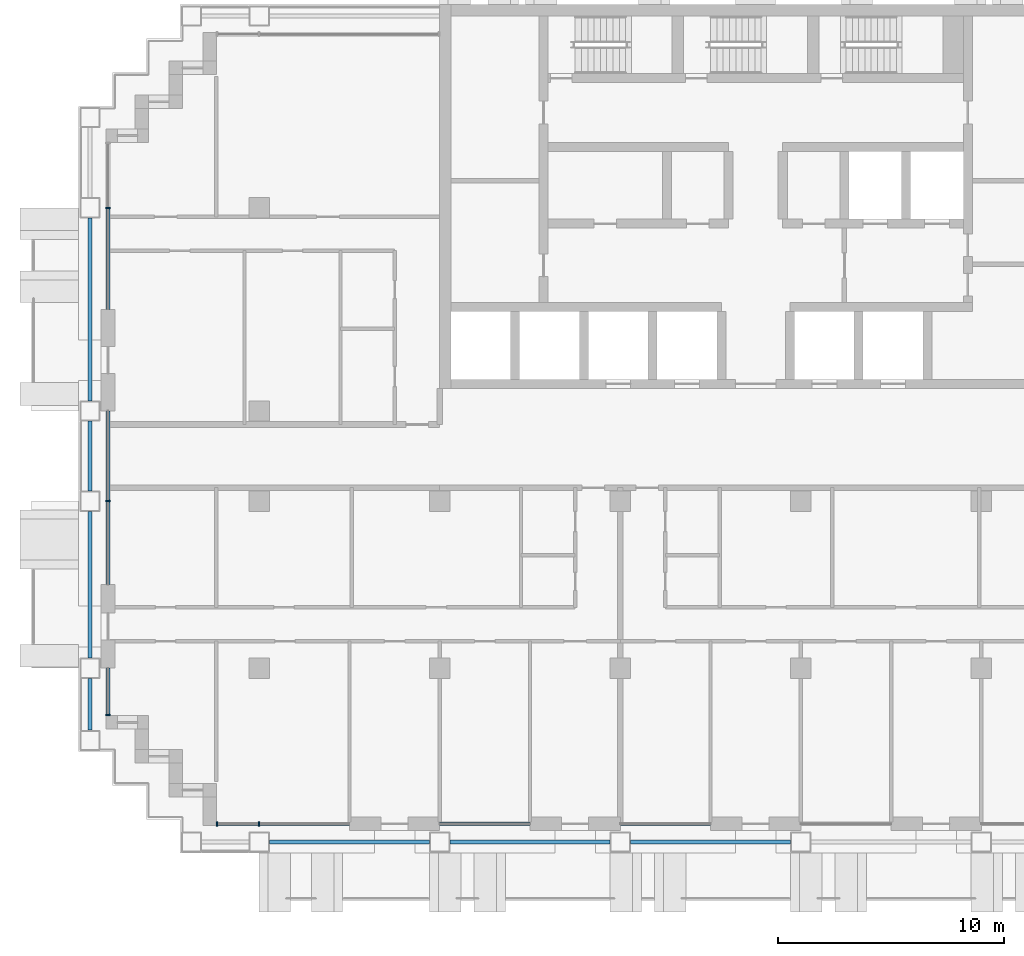
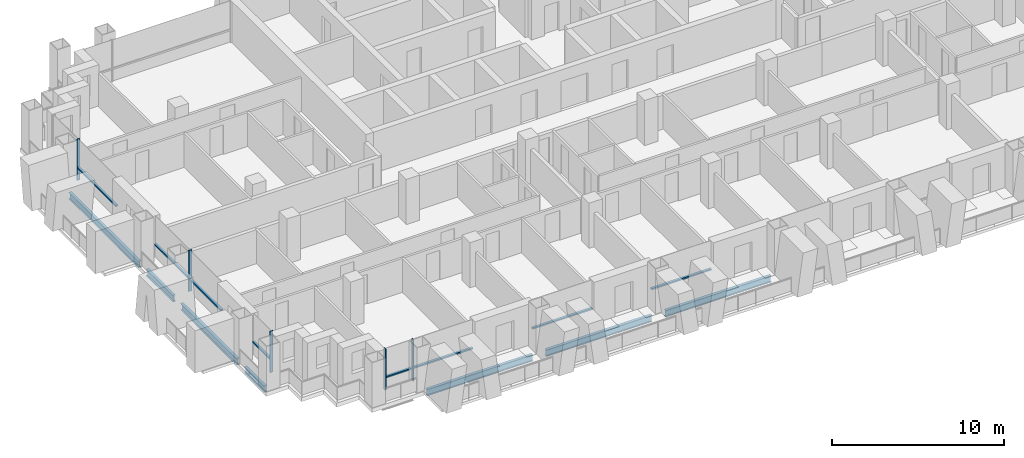
# One storey, part 2 of 19: 13 members, 7 beams, 6 elements without a shape of their own.
"""IFC4 building model written with IfcOpenShell, lengths in metres."""

from ifc_helpers import new_model, si_unit, direction, frame, origin, origin_2d, place, context, subcontext, project, spatial, rectangle, i_section, extrude, material, material_profile, profile_set, type_object, element, aggregate, save


model = new_model("IFC4")

# Units and contexts
model_context = context("Model", 3, precision=1e-05, world=origin(), true_north=direction((0.0, 1.0)))
body_context = subcontext(model_context, "Body", "Model", "MODEL_VIEW")
ifc_project = project(units=[si_unit("LENGTHUNIT", "METRE"), si_unit("AREAUNIT", "SQUARE_METRE"), si_unit("VOLUMEUNIT", "CUBIC_METRE"), si_unit("PLANEANGLEUNIT", "RADIAN"), si_unit("MASSUNIT", "GRAM", prefix="KILO")], contexts=[model_context])

# Site, building, storey
site_placement = place(None, origin())
site = spatial("IfcSite", under=ifc_project, at=site_placement, CompositionType="ELEMENT")
building_placement = place(site_placement, origin())
building = spatial("IfcBuilding", under=site, at=building_placement, Name="Vidyagriha Tower", CompositionType="ELEMENT")
storey_placement = place(building_placement, frame((0.0, 0.0, 99.89990234375)))
storey = spatial("IfcBuildingStorey", under=building, at=storey_placement, Name="L26", CompositionType="ELEMENT", Elevation=99.89990234375)

# Beams
ifc_material_1 = material(Name="Steel ASTM A992 Grade 50", Category="steel")
ifc_material_profile_1 = material_profile(ifc_material_1, i_section(OverallWidth=0.19189453125, OverallDepth=0.46240234375, WebThickness=0.010498046875, FlangeThickness=0.017578125, at=origin_2d()), Name="W18X60")
ifc_profile_set_1 = profile_set([ifc_material_profile_1], Name="Steel ASTM A992 Grade 50")
beam_type = type_object("IfcBeamType", Name="Edge beam W18X60", PredefinedType="SPANDREL", material=ifc_profile_set_1)
for number, where, z_axis, x_axis, name in (
    (1, (-21.550048828125, -17.10009765625, -0.510986328125), (1.0, 0.0, 0.0), (0.0, 1.0, 0.0), "st-beam-L26-S02"),
    (2, (-13.550048828125, -17.10009765625, -0.510986328125), (1.0, 0.0, 0.0), (0.0, 1.0, 0.0), "st-beam-L26-S03"),
    (3, (-5.550048828125, -17.10009765625, -0.510986328125), (1.0, 0.0, 0.0), (0.0, 1.0, 0.0), "st-beam-L26-S04"),
):
    element("IfcBeam", number, at=place(storey_placement, frame(where, z_axis=z_axis, x_axis=x_axis)), inside=storey, type_object=beam_type, Name=name, PredefinedType="SPANDREL", context=body_context, shape_type="SweptSolid", body=[
        extrude(i_section(OverallWidth=0.19189453125, OverallDepth=0.46240234375, WebThickness=0.010498046875, FlangeThickness=0.017578125, at=origin_2d()), origin(), (0.0, 0.0, 1.0), 7.10009765625),
    ])
beam_1_placement = place(storey_placement, frame((-29.5, -12.14990234375, -0.510986328125), z_axis=(0.0, 1.0, 0.0), x_axis=(-1.0, 0.0, 0.0)))
element("IfcBeam", 4, at=beam_1_placement, inside=storey, type_object=beam_type, Name="st-beam-L26-W10", PredefinedType="SPANDREL", context=body_context, shape_type="SweptSolid", body=[
    extrude(i_section(OverallWidth=0.19189453125, OverallDepth=0.46240234375, WebThickness=0.010498046875, FlangeThickness=0.017578125, at=origin_2d()), origin(), (0.0, 0.0, 1.0), 2.2998046875),
])
beam_2_placement = place(storey_placement, frame((-29.5, -8.949951171875, -0.510986328125), z_axis=(0.0, 1.0, 0.0), x_axis=(-1.0, 0.0, 0.0)))
element("IfcBeam", 5, at=beam_2_placement, inside=storey, type_object=beam_type, Name="st-beam-L26-W11", PredefinedType="SPANDREL", context=body_context, shape_type="SweptSolid", body=[
    extrude(i_section(OverallWidth=0.19189453125, OverallDepth=0.46240234375, WebThickness=0.010498046875, FlangeThickness=0.017578125, at=origin_2d()), origin(), (0.0, 0.0, 1.0), 6.5),
])
beam_3_placement = place(storey_placement, frame((-29.5, -1.550048828125, -0.510986328125), z_axis=(0.0, 1.0, 0.0), x_axis=(-1.0, 0.0, 0.0)))
element("IfcBeam", 6, at=beam_3_placement, inside=storey, type_object=beam_type, Name="st-beam-L26-W12", PredefinedType="SPANDREL", context=body_context, shape_type="SweptSolid", body=[
    extrude(i_section(OverallWidth=0.19189453125, OverallDepth=0.46240234375, WebThickness=0.010498046875, FlangeThickness=0.017578125, at=origin_2d()), origin(), (0.0, 0.0, 1.0), 3.10009765625),
])
beam_4_placement = place(storey_placement, frame((-29.5, 2.449951171875, -0.510986328125), z_axis=(0.0, 1.0, 0.0), x_axis=(-1.0, 0.0, 0.0)))
element("IfcBeam", 7, at=beam_4_placement, inside=storey, type_object=beam_type, Name="st-beam-L26-W13", PredefinedType="SPANDREL", context=body_context, shape_type="SweptSolid", body=[
    extrude(i_section(OverallWidth=0.19189453125, OverallDepth=0.46240234375, WebThickness=0.010498046875, FlangeThickness=0.017578125, at=origin_2d()), origin(), (0.0, 0.0, 1.0), 8.10009765625),
])

# Curtain wall, member
ifc_material_2 = material(Name="Aluminium and glass curtain wall", Category="aluminium")
curtain_wall_type = type_object("IfcCurtainWallType", Name="Dwelling skin unitised curtain wall", PredefinedType="USERDEFINED", material=ifc_material_2)
curtain_wall_1_placement = place(storey_placement, origin())
curtain_wall_1 = element("IfcCurtainWall", 8, at=curtain_wall_1_placement, inside=storey, type_object=curtain_wall_type, Name="CW1 dwelling skin", ObjectType="UNITISED", PredefinedType="USERDEFINED")
ifc_material_3 = material(Name="Aluminium black anodised", Category="aluminium")
ifc_material_profile_2 = material_profile(ifc_material_3, rectangle(XDim=0.199951171875, YDim=0.070068359375, at=origin_2d()), Name="Mullion 70x200 black aluminium")
ifc_profile_set_2 = profile_set([ifc_material_profile_2], Name="Aluminium black anodised")
member_type_1 = type_object("IfcMemberType", Name="Mullion 70x200 black aluminium", PredefinedType="MULLION", material=ifc_profile_set_2)
member_1_placement = place(storey_placement, frame((-28.699951171875, 11.0, 0.0)))
member_1 = element("IfcMember", 9, at=member_1_placement, type_object=member_type_1, Name="CW1 mullion 2", PredefinedType="MULLION", context=body_context, shape_type="SweptSolid", body=[
    extrude(rectangle(XDim=0.199951171875, YDim=0.070068359375, at=origin_2d()), origin(), (0.0, 0.0, 1.0), 2.920166015625),
])

curtain_wall_2_placement = place(storey_placement, origin())
curtain_wall_2 = element("IfcCurtainWall", 10, at=curtain_wall_2_placement, inside=storey, type_object=curtain_wall_type, Name="CW1 dwelling skin", ObjectType="UNITISED", PredefinedType="USERDEFINED")
member_2_placement = place(storey_placement, frame((-28.699951171875, -2.0, 0.0)))
member_2 = element("IfcMember", 11, at=member_2_placement, type_object=member_type_1, Name="CW1 mullion 2", PredefinedType="MULLION", context=body_context, shape_type="SweptSolid", body=[
    extrude(rectangle(XDim=0.199951171875, YDim=0.070068359375, at=origin_2d()), origin(), (0.0, 0.0, 1.0), 2.920166015625),
])

curtain_wall_3_placement = place(storey_placement, origin())
curtain_wall_3 = element("IfcCurtainWall", 12, at=curtain_wall_3_placement, inside=storey, type_object=curtain_wall_type, Name="CW1 dwelling skin", ObjectType="UNITISED", PredefinedType="USERDEFINED")
member_3_placement = place(storey_placement, frame((-28.699951171875, -11.465087890625, 0.0)))
member_3 = element("IfcMember", 13, at=member_3_placement, type_object=member_type_1, Name="CW1 mullion 2", PredefinedType="MULLION", context=body_context, shape_type="SweptSolid", body=[
    extrude(rectangle(XDim=0.199951171875, YDim=0.070068359375, at=origin_2d()), origin(), (0.0, 0.0, 1.0), 2.920166015625),
])

# Curtain wall, members
curtain_wall_4_placement = place(storey_placement, origin())
curtain_wall_4 = element("IfcCurtainWall", 14, at=curtain_wall_4_placement, inside=storey, type_object=curtain_wall_type, Name="CW1 dwelling skin", ObjectType="UNITISED", PredefinedType="USERDEFINED")
member_4_placement = place(storey_placement, frame((-23.864990234375, -16.300048828125, 0.0), z_axis=(0.0, 0.0, 1.0), x_axis=(0.0, 1.0, 0.0)))
member_4 = element("IfcMember", 15, at=member_4_placement, type_object=member_type_1, Name="CW1 mullion 1", PredefinedType="MULLION", context=body_context, shape_type="SweptSolid", body=[
    extrude(rectangle(XDim=0.199951171875, YDim=0.070068359375, at=origin_2d()), origin(), (0.0, 0.0, 1.0), 2.920166015625),
])
member_5_placement = place(storey_placement, frame((-22.0, -16.300048828125, 0.0), z_axis=(0.0, 0.0, 1.0), x_axis=(0.0, 1.0, 0.0)))
member_5 = element("IfcMember", 16, at=member_5_placement, type_object=member_type_1, Name="CW1 mullion 2", PredefinedType="MULLION", context=body_context, shape_type="SweptSolid", body=[
    extrude(rectangle(XDim=0.199951171875, YDim=0.070068359375, at=origin_2d()), origin(), (0.0, 0.0, 1.0), 2.920166015625),
])

# Member
ifc_material_4 = material(Name="Aluminium black anodised", Category="aluminium")
ifc_material_profile_3 = material_profile(ifc_material_4, rectangle(XDim=0.159912109375, YDim=0.10009765625, at=origin_2d()), Name="Transom 100x160 black aluminium")
ifc_profile_set_3 = profile_set([ifc_material_profile_3], Name="Aluminium black anodised")
member_type_2 = type_object("IfcMemberType", Name="Transom 100x160 black aluminium", PredefinedType="USERDEFINED", material=ifc_profile_set_3)
member_6_placement = place(storey_placement, frame((-28.699951171875, 10.965087890625, 0.900146484375), z_axis=(0.0, -1.0, 0.0), x_axis=(1.0, 0.0, 0.0)))
member_6 = element("IfcMember", 17, at=member_6_placement, type_object=member_type_2, Name="CW1 transom 2.1", ObjectType="TRANSOM", PredefinedType="USERDEFINED", context=body_context, shape_type="SweptSolid", body=[
    extrude(rectangle(XDim=0.159912109375, YDim=0.10009765625, at=origin_2d()), origin(), (0.0, 0.0, 1.0), 4.465087890625),
])

aggregate(curtain_wall_1, [member_1, member_6])

member_7_placement = place(storey_placement, frame((-28.699951171875, 2.0, 0.900146484375), z_axis=(0.0, -1.0, 0.0), x_axis=(1.0, 0.0, 0.0)))
member_7 = element("IfcMember", 18, at=member_7_placement, type_object=member_type_2, Name="CW1 transom 1.1", ObjectType="TRANSOM", PredefinedType="USERDEFINED", context=body_context, shape_type="SweptSolid", body=[
    extrude(rectangle(XDim=0.159912109375, YDim=0.10009765625, at=origin_2d()), origin(), (0.0, 0.0, 1.0), 3.965087890625),
])

member_8_placement = place(storey_placement, frame((-28.699951171875, -2.034912109375, 0.900146484375), z_axis=(0.0, -1.0, 0.0), x_axis=(1.0, 0.0, 0.0)))
member_8 = element("IfcMember", 19, at=member_8_placement, type_object=member_type_2, Name="CW1 transom 2.1", ObjectType="TRANSOM", PredefinedType="USERDEFINED", context=body_context, shape_type="SweptSolid", body=[
    extrude(rectangle(XDim=0.159912109375, YDim=0.10009765625, at=origin_2d()), origin(), (0.0, 0.0, 1.0), 3.6650390625),
])

aggregate(curtain_wall_2, [member_2, member_7, member_8])

member_9_placement = place(storey_placement, frame((-28.699951171875, -9.39990234375, 0.900146484375), z_axis=(0.0, -1.0, 0.0), x_axis=(1.0, 0.0, 0.0)))
member_9 = element("IfcMember", 20, at=member_9_placement, type_object=member_type_2, Name="CW1 transom 1.1", ObjectType="TRANSOM", PredefinedType="USERDEFINED", context=body_context, shape_type="SweptSolid", body=[
    extrude(rectangle(XDim=0.159912109375, YDim=0.10009765625, at=origin_2d()), origin(), (0.0, 0.0, 1.0), 2.030029296875),
])

aggregate(curtain_wall_3, [member_3, member_9])

member_10_placement = place(storey_placement, frame((-23.830078125, -16.300048828125, 0.900146484375), z_axis=(1.0, 0.0, 0.0), x_axis=(0.0, 1.0, 0.0)))
member_10 = element("IfcMember", 21, at=member_10_placement, type_object=member_type_2, Name="CW1 transom 1.1", ObjectType="TRANSOM", PredefinedType="USERDEFINED", context=body_context, shape_type="SweptSolid", body=[
    extrude(rectangle(XDim=0.159912109375, YDim=0.10009765625, at=origin_2d()), origin(), (0.0, 0.0, 1.0), 1.795166015625),
])

member_11_placement = place(storey_placement, frame((-21.965087890625, -16.300048828125, 0.900146484375), z_axis=(1.0, 0.0, 0.0), x_axis=(0.0, 1.0, 0.0)))
member_11 = element("IfcMember", 22, at=member_11_placement, type_object=member_type_2, Name="CW1 transom 2.1", ObjectType="TRANSOM", PredefinedType="USERDEFINED", context=body_context, shape_type="SweptSolid", body=[
    extrude(rectangle(XDim=0.159912109375, YDim=0.10009765625, at=origin_2d()), origin(), (0.0, 0.0, 1.0), 3.965087890625),
])

aggregate(curtain_wall_4, [member_4, member_5, member_10, member_11])

# Curtain wall, member
curtain_wall_5_placement = place(storey_placement, origin())
curtain_wall_5 = element("IfcCurtainWall", 23, at=curtain_wall_5_placement, inside=storey, type_object=curtain_wall_type, Name="CW1 dwelling skin", ObjectType="UNITISED", PredefinedType="USERDEFINED")
member_12_placement = place(storey_placement, frame((-14.0, -16.300048828125, 0.900146484375), z_axis=(1.0, 0.0, 0.0), x_axis=(0.0, 1.0, 0.0)))
member_12 = element("IfcMember", 24, at=member_12_placement, type_object=member_type_2, Name="CW1 transom 1.1", ObjectType="TRANSOM", PredefinedType="USERDEFINED", context=body_context, shape_type="SweptSolid", body=[
    extrude(rectangle(XDim=0.159912109375, YDim=0.10009765625, at=origin_2d()), origin(), (0.0, 0.0, 1.0), 4.0),
])
aggregate(curtain_wall_5, [member_12])

curtain_wall_6_placement = place(storey_placement, origin())
curtain_wall_6 = element("IfcCurtainWall", 25, at=curtain_wall_6_placement, inside=storey, type_object=curtain_wall_type, Name="CW1 dwelling skin", ObjectType="UNITISED", PredefinedType="USERDEFINED")
member_13_placement = place(storey_placement, frame((-6.0, -16.300048828125, 0.900146484375), z_axis=(1.0, 0.0, 0.0), x_axis=(0.0, 1.0, 0.0)))
member_13 = element("IfcMember", 26, at=member_13_placement, type_object=member_type_2, Name="CW1 transom 1.1", ObjectType="TRANSOM", PredefinedType="USERDEFINED", context=body_context, shape_type="SweptSolid", body=[
    extrude(rectangle(XDim=0.159912109375, YDim=0.10009765625, at=origin_2d()), origin(), (0.0, 0.0, 1.0), 4.0),
])
aggregate(curtain_wall_6, [member_13])

save(model, "model.ifc")
